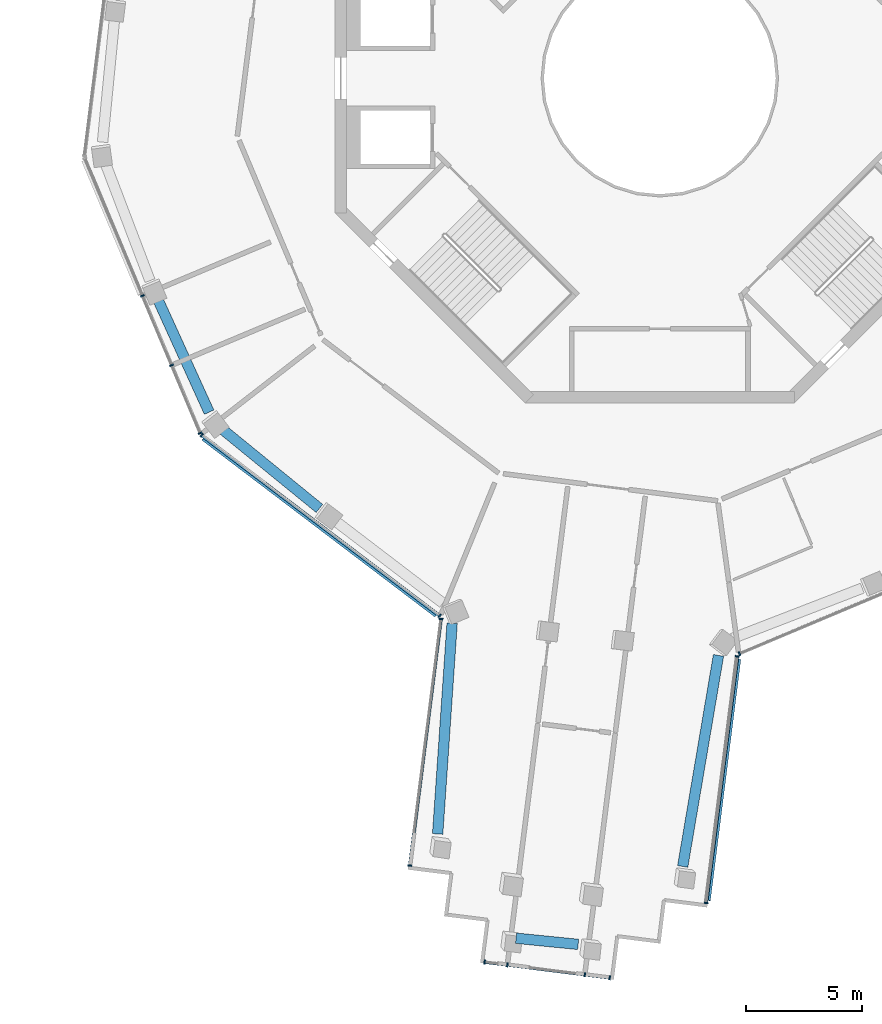
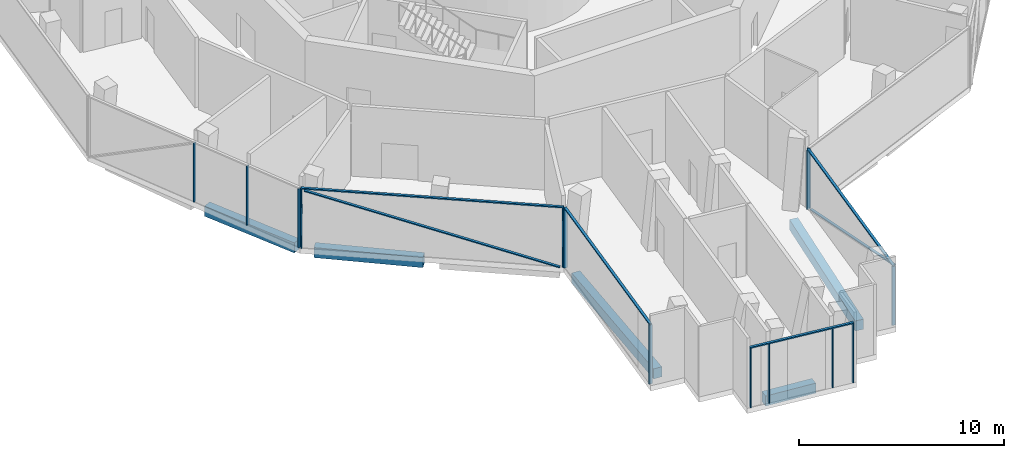
# One storey, part 2 of 18: 20 members, 5 beams, 6 elements without a shape of their own.
"""IFC4 building model written with IfcOpenShell, lengths in metres."""

from ifc_helpers import new_model, si_unit, direction, frame, origin, origin_2d, place, context, subcontext, project, spatial, rectangle, extrude, material, layer, layer_set, material_profile, profile_set, type_object, element, aggregate, save


model = new_model("IFC4")

# Units and contexts
model_context = context("Model", 3, precision=1e-05, world=origin(), true_north=direction((0.0, 1.0)))
body_context = subcontext(model_context, "Body", "Model", "MODEL_VIEW")
ifc_project = project(units=[si_unit("LENGTHUNIT", "METRE"), si_unit("AREAUNIT", "SQUARE_METRE"), si_unit("VOLUMEUNIT", "CUBIC_METRE"), si_unit("PLANEANGLEUNIT", "RADIAN"), si_unit("MASSUNIT", "GRAM", prefix="KILO")], contexts=[model_context])

# Site, building, storey
site_placement = place(None, origin())
site = spatial("IfcSite", under=ifc_project, at=site_placement, CompositionType="ELEMENT")
building_placement = place(site_placement, origin())
building = spatial("IfcBuilding", under=site, at=building_placement, Name="Verdalira Terraces Hotel", CompositionType="ELEMENT")
storey_placement = place(building_placement, frame((0.0, 0.0, 248.0)))
storey = spatial("IfcBuildingStorey", under=building, at=storey_placement, Name="L61", CompositionType="ELEMENT", Elevation=248.0)

# Curtain wall, members
ifc_material_1 = material(Name="Clear glass", Category="glass")
ifc_layer = layer(ifc_material_1, 0.179931640625)
ifc_layer_set = layer_set([ifc_layer], Name="CW4 curtain wall")
curtain_wall_type = type_object("IfcCurtainWallType", Name="CW4 curtain wall", PredefinedType="NOTDEFINED", material=ifc_layer_set)
curtain_wall_1_placement = place(storey_placement, origin())
curtain_wall_1 = element("IfcCurtainWall", 1, at=curtain_wall_1_placement, inside=storey, type_object=curtain_wall_type, Name="CW4 curtain wall L61 edge 12", PredefinedType="NOTDEFINED")
ifc_material_2 = material(Name="Terracotta frame", Category="masonry")
ifc_material_profile_1 = material_profile(ifc_material_2, rectangle(XDim=0.064941, YDim=0.179932, at=origin_2d()), Name="MU 65x180")
ifc_profile_set_1 = profile_set([ifc_material_profile_1], Name="Terracotta frame")
member_type_1 = type_object("IfcMemberType", Name="CW4 mullion 65x180", PredefinedType="MULLION", material=ifc_profile_set_1)
member_1_placement = place(storey_placement, frame((-22.307617, -9.377197, 0.0), z_axis=(0.0, 0.0, 1.0), x_axis=(0.387515586, -0.921863152, 0.0)))
member_1 = element("IfcMember", 2, at=member_1_placement, type_object=member_type_1, Name="CW4 mullion", PredefinedType="MULLION", context=body_context, shape_type="SweptSolid", body=[
    extrude(rectangle(XDim=0.064941, YDim=0.179932, at=origin_2d()), origin(), (0.0, 0.0, 1.0), 3.52002),
])
member_2_placement = place(storey_placement, frame((-21.048096, -12.373291, 0.0), z_axis=(0.0, 0.0, 1.0), x_axis=(0.387515586, -0.921863152, 0.0)))
member_2 = element("IfcMember", 3, at=member_2_placement, type_object=member_type_1, Name="CW4 mullion", PredefinedType="MULLION", context=body_context, shape_type="SweptSolid", body=[
    extrude(rectangle(XDim=0.064941, YDim=0.179932, at=origin_2d()), origin(), (0.0, 0.0, 1.0), 3.52002),
])
member_3_placement = place(storey_placement, frame((-19.816895, -15.302246, 0.0), z_axis=(0.0, 0.0, 1.0), x_axis=(0.387515586, -0.921863152, 0.0)))
member_3 = element("IfcMember", 4, at=member_3_placement, type_object=member_type_1, Name="CW4 mullion", PredefinedType="MULLION", context=body_context, shape_type="SweptSolid", body=[
    extrude(rectangle(XDim=0.064941, YDim=0.179932, at=origin_2d()), origin(), (0.0, 0.0, 1.0), 3.52002),
])
aggregate(curtain_wall_1, [member_1, member_2, member_3])

curtain_wall_2_placement = place(storey_placement, origin())
curtain_wall_2 = element("IfcCurtainWall", 5, at=curtain_wall_2_placement, inside=storey, type_object=curtain_wall_type, Name="CW4 curtain wall L61 edge 13", PredefinedType="NOTDEFINED")
member_4_placement = place(storey_placement, frame((-19.749756, -15.388672, 0.0), z_axis=(0.0, 0.0, 1.0), x_axis=(0.796529918, -0.604599115, 0.0)))
member_4 = element("IfcMember", 6, at=member_4_placement, type_object=member_type_1, Name="CW4 mullion", PredefinedType="MULLION", context=body_context, shape_type="SweptSolid", body=[
    extrude(rectangle(XDim=0.064941, YDim=0.179932, at=origin_2d()), origin(), (0.0, 0.0, 1.0), 3.52002),
])
member_5_placement = place(storey_placement, frame((-9.492432, -23.174561, 0.0), z_axis=(0.0, 0.0, 1.0), x_axis=(0.796529918, -0.604599115, 0.0)))
member_5 = element("IfcMember", 7, at=member_5_placement, type_object=member_type_1, Name="CW4 mullion", PredefinedType="MULLION", context=body_context, shape_type="SweptSolid", body=[
    extrude(rectangle(XDim=0.064941, YDim=0.179932, at=origin_2d()), origin(), (0.0, 0.0, 1.0), 3.52002),
])

curtain_wall_3_placement = place(storey_placement, origin())
curtain_wall_3 = element("IfcCurtainWall", 8, at=curtain_wall_3_placement, inside=storey, type_object=curtain_wall_type, Name="CW4 curtain wall L61 edge 14", PredefinedType="NOTDEFINED")
member_6_placement = place(storey_placement, frame((-9.435791, -23.309326, 0.0), z_axis=(0.0, 0.0, 1.0), x_axis=(-0.125333234, -0.992114701, 0.0)))
member_6 = element("IfcMember", 9, at=member_6_placement, type_object=member_type_1, Name="CW4 mullion", PredefinedType="MULLION", context=body_context, shape_type="SweptSolid", body=[
    extrude(rectangle(XDim=0.064941, YDim=0.179932, at=origin_2d()), origin(), (0.0, 0.0, 1.0), 3.52002),
])
member_7_placement = place(storey_placement, frame((-10.778809, -33.939697, 0.0), z_axis=(0.0, 0.0, 1.0), x_axis=(-0.125333234, -0.992114701, 0.0)))
member_7 = element("IfcMember", 10, at=member_7_placement, type_object=member_type_1, Name="CW4 mullion", PredefinedType="MULLION", context=body_context, shape_type="SweptSolid", body=[
    extrude(rectangle(XDim=0.064941, YDim=0.179932, at=origin_2d()), origin(), (0.0, 0.0, 1.0), 3.52002),
])

curtain_wall_4_placement = place(storey_placement, origin())
curtain_wall_4 = element("IfcCurtainWall", 11, at=curtain_wall_4_placement, inside=storey, type_object=curtain_wall_type, Name="CW4 curtain wall L61 edge 19", PredefinedType="NOTDEFINED")
member_8_placement = place(storey_placement, frame((-7.552246, -38.099365, 0.0), z_axis=(0.0, 0.0, 1.0), x_axis=(0.992114701, -0.125333234, 0.0)))
member_8 = element("IfcMember", 12, at=member_8_placement, type_object=member_type_1, Name="CW4 mullion", PredefinedType="MULLION", context=body_context, shape_type="SweptSolid", body=[
    extrude(rectangle(XDim=0.064941, YDim=0.179932, at=origin_2d()), origin(), (0.0, 0.0, 1.0), 3.52002),
])
member_9_placement = place(storey_placement, frame((-6.573486, -38.2229, 0.0), z_axis=(0.0, 0.0, 1.0), x_axis=(0.992114701, -0.125333234, 0.0)))
member_9 = element("IfcMember", 13, at=member_9_placement, type_object=member_type_1, Name="CW4 mullion", PredefinedType="MULLION", context=body_context, shape_type="SweptSolid", body=[
    extrude(rectangle(XDim=0.064941, YDim=0.179932, at=origin_2d()), origin(), (0.0, 0.0, 1.0), 3.52002),
])
member_10_placement = place(storey_placement, frame((-3.235107, -38.644775, 0.0), z_axis=(0.0, 0.0, 1.0), x_axis=(0.992114701, -0.125333234, 0.0)))
member_10 = element("IfcMember", 14, at=member_10_placement, type_object=member_type_1, Name="CW4 mullion", PredefinedType="MULLION", context=body_context, shape_type="SweptSolid", body=[
    extrude(rectangle(XDim=0.064941, YDim=0.179932, at=origin_2d()), origin(), (0.0, 0.0, 1.0), 3.52002),
])
member_11_placement = place(storey_placement, frame((-2.159912, -38.780518, 0.0), z_axis=(0.0, 0.0, 1.0), x_axis=(0.992114701, -0.125333234, 0.0)))
member_11 = element("IfcMember", 15, at=member_11_placement, type_object=member_type_1, Name="CW4 mullion", PredefinedType="MULLION", context=body_context, shape_type="SweptSolid", body=[
    extrude(rectangle(XDim=0.064941, YDim=0.179932, at=origin_2d()), origin(), (0.0, 0.0, 1.0), 3.52002),
])

curtain_wall_5_placement = place(storey_placement, origin())
curtain_wall_5 = element("IfcCurtainWall", 16, at=curtain_wall_5_placement, inside=storey, type_object=curtain_wall_type, Name="CW4 curtain wall L61 edge 24", PredefinedType="NOTDEFINED")
member_12_placement = place(storey_placement, frame((1.999756, -35.553955, 0.0), z_axis=(0.0, 0.0, 1.0), x_axis=(0.125333234, 0.992114701, 0.0)))
member_12 = element("IfcMember", 17, at=member_12_placement, type_object=member_type_1, Name="CW4 mullion", PredefinedType="MULLION", context=body_context, shape_type="SweptSolid", body=[
    extrude(rectangle(XDim=0.064941, YDim=0.179932, at=origin_2d()), origin(), (0.0, 0.0, 1.0), 3.52002),
])
member_13_placement = place(storey_placement, frame((3.342529, -24.923584, 0.0), z_axis=(0.0, 0.0, 1.0), x_axis=(0.125333234, 0.992114701, 0.0)))
member_13 = element("IfcMember", 18, at=member_13_placement, type_object=member_type_1, Name="CW4 mullion", PredefinedType="MULLION", context=body_context, shape_type="SweptSolid", body=[
    extrude(rectangle(XDim=0.064941, YDim=0.179932, at=origin_2d()), origin(), (0.0, 0.0, 1.0), 3.52002),
])

# Curtain wall, member
curtain_wall_6_placement = place(storey_placement, origin())
curtain_wall_6 = element("IfcCurtainWall", 19, at=curtain_wall_6_placement, inside=storey, type_object=curtain_wall_type, Name="CW4 curtain wall L61 edge 25", PredefinedType="NOTDEFINED")
member_14_placement = place(storey_placement, frame((3.431152, -24.807129, 0.0), z_axis=(0.0, 0.0, 1.0), x_axis=(0.921863152, 0.387515586, 0.0)))
member_14 = element("IfcMember", 20, at=member_14_placement, type_object=member_type_1, Name="CW4 mullion", PredefinedType="MULLION", context=body_context, shape_type="SweptSolid", body=[
    extrude(rectangle(XDim=0.064941, YDim=0.179932, at=origin_2d()), origin(), (0.0, 0.0, 1.0), 3.52002),
])
aggregate(curtain_wall_6, [member_14])

# Member
ifc_material_3 = material(Name="Terracotta frame", Category="masonry")
ifc_material_profile_2 = material_profile(ifc_material_3, rectangle(XDim=0.139893, YDim=0.070068, at=origin_2d()), Name="TR 70x140")
ifc_profile_set_2 = profile_set([ifc_material_profile_2], Name="Terracotta frame")
member_type_2 = type_object("IfcMemberType", Name="CW4 transom 70x140", PredefinedType="USERDEFINED", material=ifc_profile_set_2)
member_15_placement = place(storey_placement, frame((-19.775635, -15.369141, 3.554932), z_axis=(0.796532448, -0.604595782, 0.0), x_axis=(0.604595782, 0.796532448, 0.0)))
member_15 = element("IfcMember", 21, at=member_15_placement, type_object=member_type_2, Name="CW4 transom", ObjectType="TRANSOM", PredefinedType="USERDEFINED", context=body_context, shape_type="SweptSolid", body=[
    extrude(rectangle(XDim=0.139893, YDim=0.070068, at=origin_2d()), origin(), (0.0, 0.0, 1.0), 12.942383),
])

member_16_placement = place(storey_placement, frame((-9.431885, -23.2771, 3.554932), z_axis=(-0.125311281, -0.992117474, 0.0), x_axis=(0.992117474, -0.125311281, 0.0)))
member_16 = element("IfcMember", 22, at=member_16_placement, type_object=member_type_2, Name="CW4 transom", ObjectType="TRANSOM", PredefinedType="USERDEFINED", context=body_context, shape_type="SweptSolid", body=[
    extrude(rectangle(XDim=0.139893, YDim=0.070068, at=origin_2d()), origin(), (0.0, 0.0, 1.0), 10.779785),
])

aggregate(curtain_wall_3, [member_6, member_7, member_16])

member_17_placement = place(storey_placement, frame((-7.584473, -38.095215, 3.554932), z_axis=(0.992112427, -0.125351237, 0.0), x_axis=(0.125351237, 0.992112427, 0.0)))
member_17 = element("IfcMember", 23, at=member_17_placement, type_object=member_type_2, Name="CW4 transom", ObjectType="TRANSOM", PredefinedType="USERDEFINED", context=body_context, shape_type="SweptSolid", body=[
    extrude(rectangle(XDim=0.139893, YDim=0.070068, at=origin_2d()), origin(), (0.0, 0.0, 1.0), 5.500244),
])

aggregate(curtain_wall_4, [member_8, member_9, member_10, member_11, member_17])

member_18_placement = place(storey_placement, frame((1.995605, -35.586182, 3.554932), z_axis=(0.125333573, 0.992114658, 0.0), x_axis=(-0.992114658, 0.125333573, 0.0)))
member_18 = element("IfcMember", 24, at=member_18_placement, type_object=member_type_2, Name="CW4 transom", ObjectType="TRANSOM", PredefinedType="USERDEFINED", context=body_context, shape_type="SweptSolid", body=[
    extrude(rectangle(XDim=0.139893, YDim=0.070068, at=origin_2d()), origin(), (0.0, 0.0, 1.0), 10.779785),
])

ifc_material_4 = material(Name="Terracotta frame", Category="masonry")
ifc_material_profile_3 = material_profile(ifc_material_4, rectangle(XDim=0.149902, YDim=0.060059, at=origin_2d()), Name="GB 60x150")
ifc_profile_set_3 = profile_set([ifc_material_profile_3], Name="Terracotta frame")
member_type_3 = type_object("IfcMemberType", Name="Diagonal glazing bar 60x150", PredefinedType="USERDEFINED", material=ifc_profile_set_3)
member_19_placement = place(storey_placement, frame((-19.694824, -15.547363, 3.490479), z_axis=(0.768074053, -0.582997769, -0.26490725), x_axis=(0.604597688, 0.796531001, 0.0)))
member_19 = element("IfcMember", 25, at=member_19_placement, type_object=member_type_3, Name="Diagonal glazing bar", ObjectType="GLAZING BAR", PredefinedType="USERDEFINED", context=body_context, shape_type="SweptSolid", body=[
    extrude(rectangle(XDim=0.149902, YDim=0.060059, at=origin_2d()), origin(), (0.0, 0.0, 1.0), 13.064697),
])

aggregate(curtain_wall_2, [member_4, member_5, member_15, member_19])

member_20_placement = place(storey_placement, frame((2.107178, -35.445801, 3.490967), z_axis=(0.118985455, 0.941990318, -0.313841844), x_axis=(-0.992116744, 0.125317065, 0.0)))
member_20 = element("IfcMember", 26, at=member_20_placement, type_object=member_type_3, Name="Diagonal glazing bar", ObjectType="GLAZING BAR", PredefinedType="USERDEFINED", context=body_context, shape_type="SweptSolid", body=[
    extrude(rectangle(XDim=0.149902, YDim=0.060059, at=origin_2d()), origin(), (0.0, 0.0, 1.0), 11.030762),
])

aggregate(curtain_wall_5, [member_12, member_13, member_18, member_20])

# Beams
ifc_material_5 = material(Name="Concrete C40", Category="concrete")
ifc_material_profile_4 = material_profile(ifc_material_5, rectangle(XDim=0.449951, YDim=0.600098, at=origin_2d()), Name="RC 450X600")
ifc_profile_set_4 = profile_set([ifc_material_profile_4], Name="Concrete C40")
beam_type = type_object("IfcBeamType", Name="Spandrel beam RC 450X600 C40", PredefinedType="SPANDREL", material=ifc_profile_set_4)
beam_1_placement = place(storey_placement, frame((-21.663086, -9.484375, -0.610107), z_axis=(0.414017752, -0.910268807, 0.0), x_axis=(0.910268807, 0.414017752, 0.0)))
element("IfcBeam", 27, at=beam_1_placement, inside=storey, type_object=beam_type, Name="Spandrel beam B05", PredefinedType="SPANDREL", context=body_context, shape_type="SweptSolid", body=[
    extrude(rectangle(XDim=0.449951, YDim=0.600098, at=origin_2d()), origin(), (0.0, 0.0, 1.0), 5.394531),
])
beam_2_placement = place(storey_placement, frame((-18.856934, -15.13501, -0.610107), z_axis=(0.775062657, -0.631884386, 0.0), x_axis=(0.631884386, 0.775062657, 0.0)))
element("IfcBeam", 28, at=beam_2_placement, inside=storey, type_object=beam_type, Name="Spandrel beam B06", PredefinedType="SPANDREL", context=body_context, shape_type="SweptSolid", body=[
    extrude(rectangle(XDim=0.449951, YDim=0.600098, at=origin_2d()), origin(), (0.0, 0.0, 1.0), 5.396729),
])
beam_3_placement = place(storey_placement, frame((-8.953857, -23.490479, -0.610107), z_axis=(-0.068481058, -0.997652417, 0.0), x_axis=(0.997652417, -0.068481058, 0.0)))
element("IfcBeam", 29, at=beam_3_placement, inside=storey, type_object=beam_type, Name="Spandrel beam B08", PredefinedType="SPANDREL", context=body_context, shape_type="SweptSolid", body=[
    extrude(rectangle(XDim=0.449951, YDim=0.600098, at=origin_2d()), origin(), (0.0, 0.0, 1.0), 9.108887),
])
beam_4_placement = place(storey_placement, frame((-6.198975, -37.071777, -0.610107), z_axis=(0.995074832, -0.099126576, 0.0), x_axis=(0.099126576, 0.995074832, 0.0)))
element("IfcBeam", 30, at=beam_4_placement, inside=storey, type_object=beam_type, Name="Spandrel beam B09", PredefinedType="SPANDREL", context=body_context, shape_type="SweptSolid", body=[
    extrude(rectangle(XDim=0.449951, YDim=0.600098, at=origin_2d()), origin(), (0.0, 0.0, 1.0), 2.691895),
])
beam_5_placement = place(storey_placement, frame((0.986084, -33.979736, -0.610107), z_axis=(0.167164882, 0.985928954, 0.0), x_axis=(-0.985928954, 0.167164882, 0.0)))
element("IfcBeam", 31, at=beam_5_placement, inside=storey, type_object=beam_type, Name="Spandrel beam B10", PredefinedType="SPANDREL", context=body_context, shape_type="SweptSolid", body=[
    extrude(rectangle(XDim=0.449951, YDim=0.600098, at=origin_2d()), origin(), (0.0, 0.0, 1.0), 9.230225),
])

save(model, "model.ifc")
